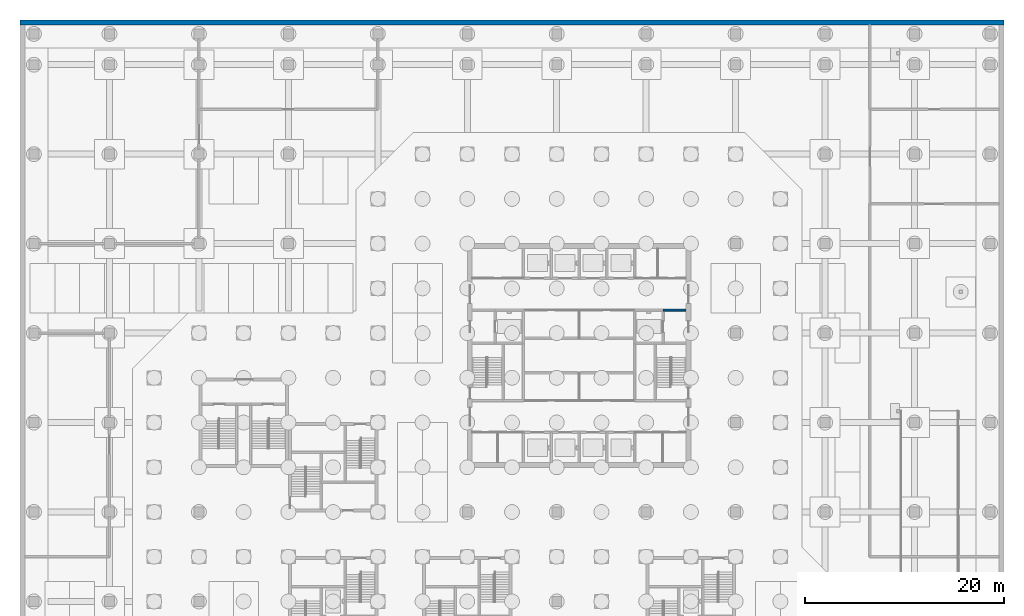
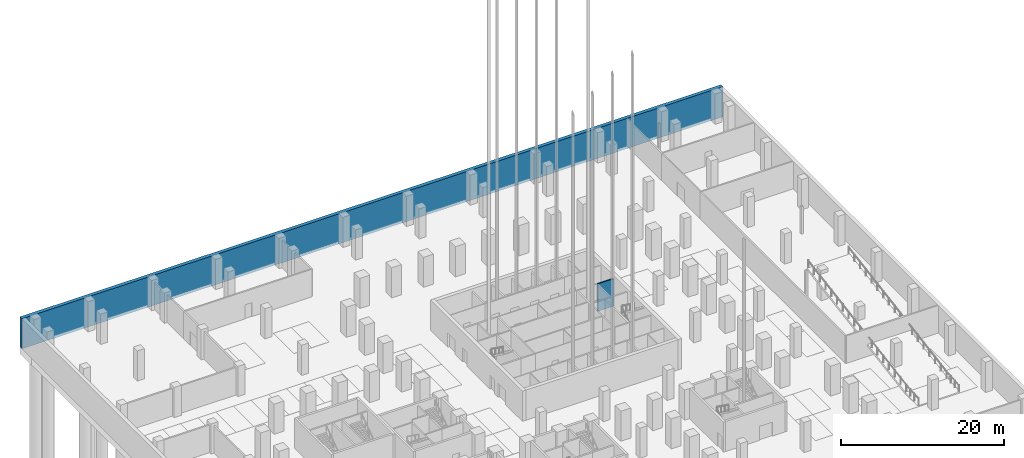
# One storey, part 19 of 37: 2 walls.
"""IFC4 building model written with IfcOpenShell, lengths in metres."""

import ifcopenshell
import ifcopenshell.guid

model = None  # the IFC model being written
_history = None  # IfcOwnerHistory: only IFC2X3 demands one
_inside = {}  # id of a spatial element -> (the spatial element, [elements in it])
_under = {}  # id of a project, library or spatial element -> (it, [spatial elements below it])
_declared = {}  # id of a project -> (the project, [libraries it declares])
_typed = {}  # id of a type object -> (the type object, [elements of that type])
_made_of = {}  # id of a material, layer set ... -> (it, [elements and type objects made of it])


def new_model(schema):
    """Start an empty IFC model of exactly this schema.

    Asked for "IFC4X3", IfcOpenShell would pick the latest addendum, in which some entities
    have other attributes; the version numbers below select the first issue.
    IFC2X3 requires an IfcOwnerHistory on every rooted entity: one is made here for all.
    """
    global model, _history
    if schema == "IFC4X3":
        model = ifcopenshell.file(schema_version=(4, 3, 0, 0))
    else:
        model = ifcopenshell.file(schema=schema)
    _inside.clear()
    _under.clear()
    _declared.clear()
    _typed.clear()
    _made_of.clear()
    _history = None
    if model.schema == "IFC2X3":
        org = make("IfcOrganization", Name="unknown")
        user = make(
            "IfcPersonAndOrganization",
            ThePerson=make("IfcPerson", FamilyName="unknown"),
            TheOrganization=org,
        )
        app = make(
            "IfcApplication",
            ApplicationDeveloper=org,
            Version="unknown",
            ApplicationFullName="unknown",
            ApplicationIdentifier="unknown",
        )
        _history = make(
            "IfcOwnerHistory",
            OwningUser=user,
            OwningApplication=app,
            ChangeAction="ADDED",
            CreationDate=0,
        )
    return model


def make(cls, **values):
    """One entity of the class cls with the attributes given. An attribute that is None is left unset."""
    return model.create_entity(
        cls, **{name: value for name, value in values.items() if value is not None}
    )


def rooted(cls, **values):
    """An entity with a GlobalId (a new one), such as an element, a storey or a relation."""
    return make(cls, GlobalId=ifcopenshell.guid.new(), OwnerHistory=_history, **values)


def si_unit(unit_type, name, prefix=None):
    """IfcSIUnit, for example si_unit("LENGTHUNIT", "METRE", prefix="MILLI")."""
    return make("IfcSIUnit", UnitType=unit_type, Prefix=prefix, Name=name)


def assignment(units):
    """IfcUnitAssignment: the units of a project."""
    return None if units is None else make("IfcUnitAssignment", Units=units)


def point(xyz):
    """IfcCartesianPoint."""
    return None if xyz is None else make("IfcCartesianPoint", Coordinates=xyz)


def direction(xyz):
    """IfcDirection."""
    return None if xyz is None else make("IfcDirection", DirectionRatios=xyz)


def frame(location, z_axis=None, x_axis=None):
    """IfcAxis2Placement3D, a coordinate frame: its origin and axes. An axis left out is left unset."""
    return make(
        "IfcAxis2Placement3D",
        Location=point(location),
        Axis=direction(z_axis),
        RefDirection=direction(x_axis),
    )


def frame_2d(location, x_axis=None):
    """IfcAxis2Placement2D, a coordinate frame in the plane: its origin and x axis."""
    return make(
        "IfcAxis2Placement2D", Location=point(location), RefDirection=direction(x_axis)
    )


def origin():
    """The frame at (0, 0, 0) with its axes left unset."""
    return frame((0.0, 0.0, 0.0))


def place(relative_to, where):
    """IfcLocalPlacement: puts the frame where relative to a parent placement (None: the world)."""
    return make(
        "IfcLocalPlacement", PlacementRelTo=relative_to, RelativePlacement=where
    )


def context(
    kind, dimensions, precision=None, world=None, true_north=None, identifier=None
):
    """IfcGeometricRepresentationContext, for example the 3D "Model" context."""
    return make(
        "IfcGeometricRepresentationContext",
        ContextIdentifier=identifier,
        ContextType=kind,
        CoordinateSpaceDimension=dimensions,
        Precision=precision,
        WorldCoordinateSystem=world,
        TrueNorth=true_north,
    )


def subcontext(parent, identifier, kind, view, scale=None):
    """IfcGeometricRepresentationSubContext, for example "Body" below "Model"."""
    return make(
        "IfcGeometricRepresentationSubContext",
        ContextIdentifier=identifier,
        ContextType=kind,
        ParentContext=parent,
        TargetScale=scale,
        TargetView=view,
    )


def project(units=None, contexts=None):
    """IfcProject with its units and contexts."""
    return rooted(
        "IfcProject",
        Name="project",
        RepresentationContexts=contexts,
        UnitsInContext=assignment(units),
    )


def spatial(cls, under=None, at=None, **own):
    """A site, building, storey or space (cls), placed at a placement, below another one or the project."""
    s = rooted(cls, ObjectPlacement=at, **own)
    if under is not None:
        _under.setdefault(under.id(), (under, []))[1].append(s)
    return s


def profile(cls, at=None, kind="AREA", **sizes):
    """A parametric profile (cls). Its sizes go by their IFC names, for example OverallWidth=200.0."""
    return make(cls, ProfileType=kind, Position=at, **sizes)


def rectangle(**sizes):
    """IfcRectangleProfileDef."""
    return profile("IfcRectangleProfileDef", **sizes)


def extrude(swept, where, along, depth):
    """IfcExtrudedAreaSolid: the profile swept, set in the frame where, extruded along a direction by depth."""
    return make(
        "IfcExtrudedAreaSolid",
        SweptArea=swept,
        Position=where,
        ExtrudedDirection=direction(along),
        Depth=depth,
    )


def shape(context_of_items, identifier, shape_type, items):
    """IfcShapeRepresentation: the items that make up one representation, for example the "Body"."""
    return make(
        "IfcShapeRepresentation",
        ContextOfItems=context_of_items,
        RepresentationIdentifier=identifier,
        RepresentationType=shape_type,
        Items=items,
    )


def material(Name=None, Category=None):
    """IfcMaterial."""
    return make("IfcMaterial", Name=Name, Category=Category)


def layer(
    of_material, thickness, ventilated=None, Name=None, Category=None, Priority=None
):
    """IfcMaterialLayer: one layer of a wall or slab, of a material (None: an air gap)."""
    return make(
        "IfcMaterialLayer",
        Material=of_material,
        LayerThickness=thickness,
        IsVentilated=ventilated,
        Name=Name,
        Category=Category,
        Priority=Priority,
    )


def layer_set(layers, Name=None):
    """IfcMaterialLayerSet."""
    return make("IfcMaterialLayerSet", MaterialLayers=layers, LayerSetName=Name)


def made_of(thing, what):
    """Note that an element or type object is made of a material, layer set ...; save() writes the relation."""
    if what is not None:
        _made_of.setdefault(what.id(), (what, []))[1].append(thing)
    return thing


def type_object(cls, material=None, **own):
    """A type object (cls), such as IfcWallType, which elements share."""
    return made_of(rooted(cls, **own), material)


def element(
    cls,
    number,
    at=None,
    inside=None,
    cuts=None,
    type_object=None,
    material=None,
    context=None,
    identifier="Body",
    shape_type=None,
    held_by="IfcProductDefinitionShape",
    body=None,
    shapes=None,
    **own,
):
    """One element of the class cls, such as IfcWall. Its Tag is "e" and its number.

    at: its placement. inside: the storey or other place that contains it. cuts: it is an
    opening in that element (IfcRelVoidsElement). A single representation is given by context,
    identifier, shape_type and body (its items); several are given by shapes. held_by: the class
    of the entity that holds the representations. save() writes the other relations.
    """
    e = rooted(cls, Tag="e%d" % number, ObjectPlacement=at, **own)
    if body is not None:
        shapes = [shape(context, identifier, shape_type, body)]
    if shapes is not None:
        e.Representation = make(held_by, Representations=shapes)
    if inside is not None:
        _inside.setdefault(inside.id(), (inside, []))[1].append(e)
    if cuts is not None:
        rooted(
            "IfcRelVoidsElement", RelatingBuildingElement=cuts, RelatedOpeningElement=e
        )
    if type_object is not None:
        _typed.setdefault(type_object.id(), (type_object, []))[1].append(e)
    return made_of(e, material)


def aggregate(whole, parts):
    """IfcRelAggregates: a whole, such as a stair, and the parts it consists of."""
    return rooted("IfcRelAggregates", RelatingObject=whole, RelatedObjects=parts)


def save(model, path):
    """Write the relations noted so far, then the file.

    IfcRelAggregates (storeys below a building ...), IfcRelContainedInSpatialStructure (elements
    in a storey), IfcRelDefinesByType, IfcRelAssociatesMaterial and IfcRelDeclares: one each for
    every whole, place, type object, material and project.
    """
    for whole, parts in _under.values():
        aggregate(whole, parts)
    for where, things in _inside.values():
        rooted(
            "IfcRelContainedInSpatialStructure",
            RelatedElements=things,
            RelatingStructure=where,
        )
    for kind, things in _typed.values():
        rooted("IfcRelDefinesByType", RelatedObjects=things, RelatingType=kind)
    for what, things in _made_of.values():
        rooted("IfcRelAssociatesMaterial", RelatedObjects=things, RelatingMaterial=what)
    for by, libraries in _declared.values():
        rooted("IfcRelDeclares", RelatingContext=by, RelatedDefinitions=libraries)
    model.write(path)


model = new_model("IFC4")

# Units and contexts
model_context = context("Model", 3, precision=1e-05, world=origin(), true_north=direction((0.0, 1.0)))
body_context = subcontext(model_context, "Body", "Model", "MODEL_VIEW")
ifc_project = project(units=[si_unit("LENGTHUNIT", "METRE"), si_unit("AREAUNIT", "SQUARE_METRE"), si_unit("VOLUMEUNIT", "CUBIC_METRE"), si_unit("PLANEANGLEUNIT", "RADIAN"), si_unit("MASSUNIT", "GRAM", prefix="KILO")], contexts=[model_context])

# Site, building, storey
site_placement = place(None, origin())
site = spatial("IfcSite", under=ifc_project, at=site_placement, CompositionType="ELEMENT")
building_placement = place(site_placement, origin())
building = spatial("IfcBuilding", under=site, at=building_placement, Name="Quoin Convention Tower", CompositionType="ELEMENT")
storey_placement = place(building_placement, frame((0.0, 0.0, -9.0)))
storey = spatial("IfcBuildingStorey", under=building, at=storey_placement, Name="B2", CompositionType="ELEMENT", Elevation=-9.0)

# Walls
ifc_material = material(Name="Concrete C50", Category="concrete")
ifc_layer_1 = layer(ifc_material, 0.199951171875)
ifc_layer_set_1 = layer_set([ifc_layer_1], Name="Concrete C50")
wall_type_1 = type_object("IfcWallType", Name="Core shaft wall", PredefinedType="SOLIDWALL", material=ifc_layer_set_1)
wall_1_placement = place(storey_placement, frame((64.699951171875, 65.300048828125, 0.0), z_axis=(0.0, 0.0, 1.0), x_axis=(1.0, 0.0, 0.0)))
element("IfcWall", 1, at=wall_1_placement, inside=storey, type_object=wall_type_1, Name="cr-C1-B2-h15800_19700", PredefinedType="SOLIDWALL", context=body_context, shape_type="SweptSolid", body=[
    extrude(rectangle(XDim=2.300048828125, YDim=0.199951171875, at=frame_2d((1.14990234375, 0.0))), origin(), (0.0, 0.0, 1.0), 4.10009765625),
])
ifc_layer_2 = layer(ifc_material, 0.5)
ifc_layer_set_2 = layer_set([ifc_layer_2], Name="Concrete C50")
wall_type_2 = type_object("IfcWallType", Name="RC RETAINING WALL 500 C50", PredefinedType="SOLIDWALL", material=ifc_layer_set_2)
wall_2_placement = place(storey_placement, frame((0.0, 94.25, -0.39990234375), z_axis=(0.0, 0.0, 1.0), x_axis=(1.0, 0.0, 0.0)))
element("IfcWall", 2, at=wall_2_placement, inside=storey, type_object=wall_type_2, Name="bsm-B2-N", PredefinedType="SOLIDWALL", context=body_context, shape_type="SweptSolid", body=[
    extrude(rectangle(XDim=99.0, YDim=0.5, at=frame_2d((49.5, 0.0))), origin(), (0.0, 0.0, 1.0), 4.5),
])

save(model, "model.ifc")
